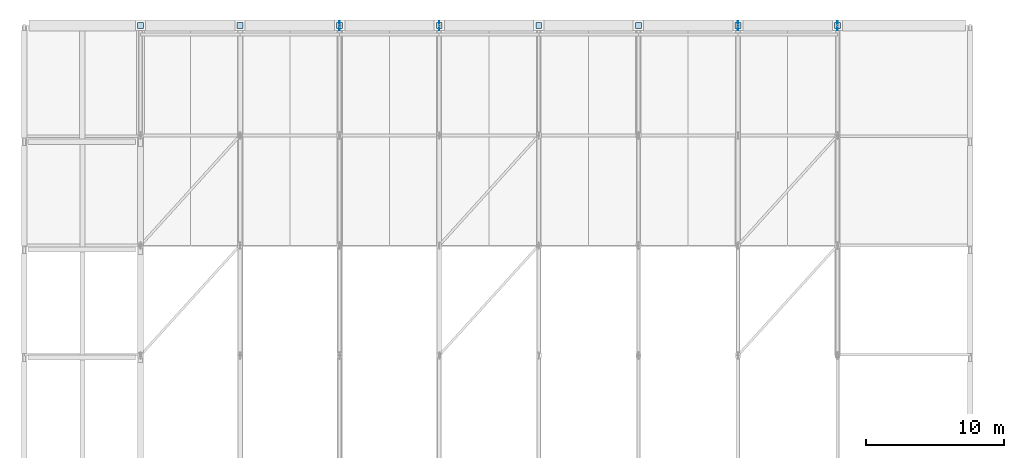
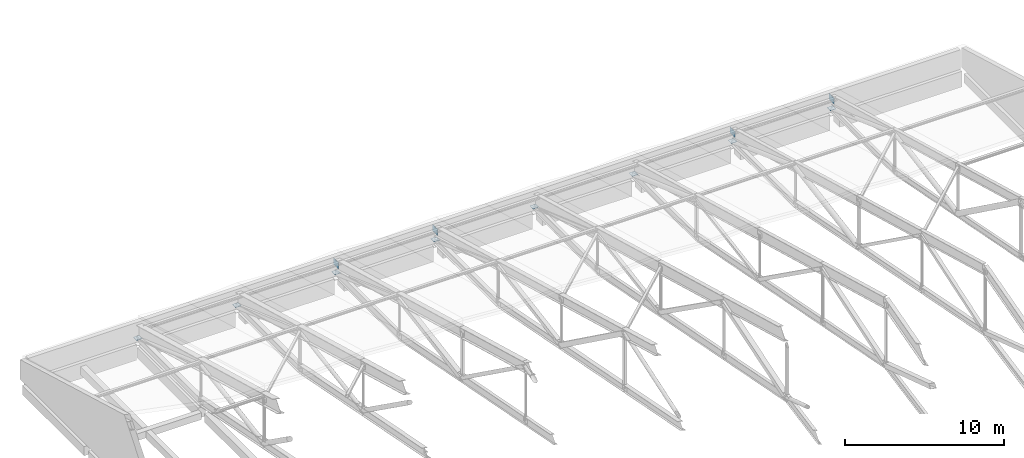
# One storey, part 48 of 53: 12 plates.
"""IFC4 building model written with IfcOpenShell, lengths in metres."""

from ifc_helpers import new_model, si_unit, direction, frame, origin, origin_2d, place, context, subcontext, project, spatial, rectangle, extrude, material, layer, layer_set, type_object, element, save


model = new_model("IFC4")

# Units and contexts
model_context = context("Model", 3, precision=1e-05, world=origin(), true_north=direction((0.0, 1.0)))
body_context = subcontext(model_context, "Body", "Model", "MODEL_VIEW")
ifc_project = project(units=[si_unit("LENGTHUNIT", "METRE"), si_unit("AREAUNIT", "SQUARE_METRE"), si_unit("VOLUMEUNIT", "CUBIC_METRE"), si_unit("PLANEANGLEUNIT", "RADIAN"), si_unit("MASSUNIT", "GRAM", prefix="KILO")], contexts=[model_context])

# Site, building, storey
site_placement = place(None, origin())
site = spatial("IfcSite", under=ifc_project, at=site_placement, CompositionType="ELEMENT")
building_placement = place(site_placement, origin())
building = spatial("IfcBuilding", under=site, at=building_placement, Name="Pellamere Symphony Hall", CompositionType="ELEMENT")
storey_placement = place(building_placement, frame((0.0, 0.0, 24.0)))
storey = spatial("IfcBuildingStorey", under=building, at=storey_placement, Name="L05", CompositionType="ELEMENT", Elevation=24.0)

# Plates
ifc_material = material(Name="Steel CSA G40.21 350W", Category="steel")
ifc_layer_1 = layer(ifc_material, 0.02490234375, Name="Steel CSA G40.21 350W")
ifc_layer_set_1 = layer_set([ifc_layer_1], Name="Steel CSA G40.21 350W")
plate_type_1 = type_object("IfcPlateType", Name="Steel Connection Plate KP-01 420x420x25", PredefinedType="SHEET", material=ifc_layer_set_1)
for number, where, z_axis, x_axis, name in (
    (1, (58.800048828125, 93.60009765625, 0.1474609375), (0.0, 0.0, 1.0), (1.0, 0.0, 0.0), "Roof Truss Node End Cap Plate KN3 009"),
    (2, (66.0, 93.60009765625, 0.1474609375), (0.0, 0.0, 1.0), (1.0, 0.0, 0.0), "Roof Truss Node End Cap Plate KN3 027"),
    (3, (73.199951171875, 93.60009765625, 0.1474609375), (0.0, 0.0, 1.0), (1.0, 0.0, 0.0), "Roof Truss Node End Cap Plate KN3 045"),
    (4, (80.39990234375, 93.60009765625, 0.1474609375), (0.0, 0.0, 1.0), (1.0, 0.0, 0.0), "Roof Truss Node End Cap Plate KN3 065"),
    (5, (87.60009765625, 93.60009765625, 0.1474609375), (0.0, 0.0, 1.0), (1.0, 0.0, 0.0), "Roof Truss Node End Cap Plate KN3 085"),
    (6, (94.800048828125, 93.60009765625, 0.1474609375), (0.0, 0.0, 1.0), (1.0, 0.0, 0.0), "Roof Truss Node End Cap Plate KN3 103"),
    (7, (102.0, 93.60009765625, 0.1474609375), (0.0, 0.0, 1.0), (1.0, 0.0, 0.0), "Roof Truss Node End Cap Plate KN3 121"),
    (8, (109.199951171875, 93.60009765625, 0.1474609375), (0.0, 0.0, 1.0), (1.0, 0.0, 0.0), "Roof Truss Node End Cap Plate KN3 141"),
):
    element("IfcPlate", number, at=place(storey_placement, frame(where, z_axis=z_axis, x_axis=x_axis)), inside=storey, type_object=plate_type_1, Name=name, PredefinedType="SHEET", context=body_context, shape_type="SweptSolid", body=[
        extrude(rectangle(XDim=0.419921875, YDim=0.419921875, at=origin_2d()), origin(), (0.0, 0.0, 1.0), 0.02490234375),
    ])
ifc_layer_2 = layer(ifc_material, 0.028076171875, Name="Steel CSA G40.21 350W")
ifc_layer_set_2 = layer_set([ifc_layer_2], Name="Steel CSA G40.21 350W")
plate_type_2 = type_object("IfcPlateType", Name="Steel Connection Plate KP-03 650x480x28", PredefinedType="USERDEFINED", material=ifc_layer_set_2)
for number, where, z_axis, x_axis, name in (
    (9, (73.199951171875, 93.60009765625, 0.6083984375), (0.0, 0.0, 1.0), (1.0, 0.0, 0.0), "Roof Truss Upper Gusset Plate KN4 055"),
    (10, (80.39990234375, 93.60009765625, 0.6474609375), (0.0, 0.0, 1.0), (1.0, 0.0, 0.0), "Roof Truss Upper Gusset Plate KN4 075"),
    (11, (102.0, 93.60009765625, 0.610107421875), (0.0, 0.0, 1.0), (1.0, 0.0, 0.0), "Roof Truss Upper Gusset Plate KN4 131"),
    (12, (109.199951171875, 93.60009765625, 0.651123046875), (0.0, 0.0, 1.0), (1.0, 0.0, 0.0), "Roof Truss Upper Gusset Plate KN4 151"),
):
    element("IfcPlate", number, at=place(storey_placement, frame(where, z_axis=z_axis, x_axis=x_axis)), inside=storey, type_object=plate_type_2, Name=name, ObjectType="GUSSET PLATE", PredefinedType="USERDEFINED", context=body_context, shape_type="SweptSolid", body=[
        extrude(rectangle(XDim=0.028076171875, YDim=0.64990234375, at=origin_2d()), origin(), (0.0, 0.0, 1.0), 0.47998046875),
    ])

save(model, "model.ifc")
